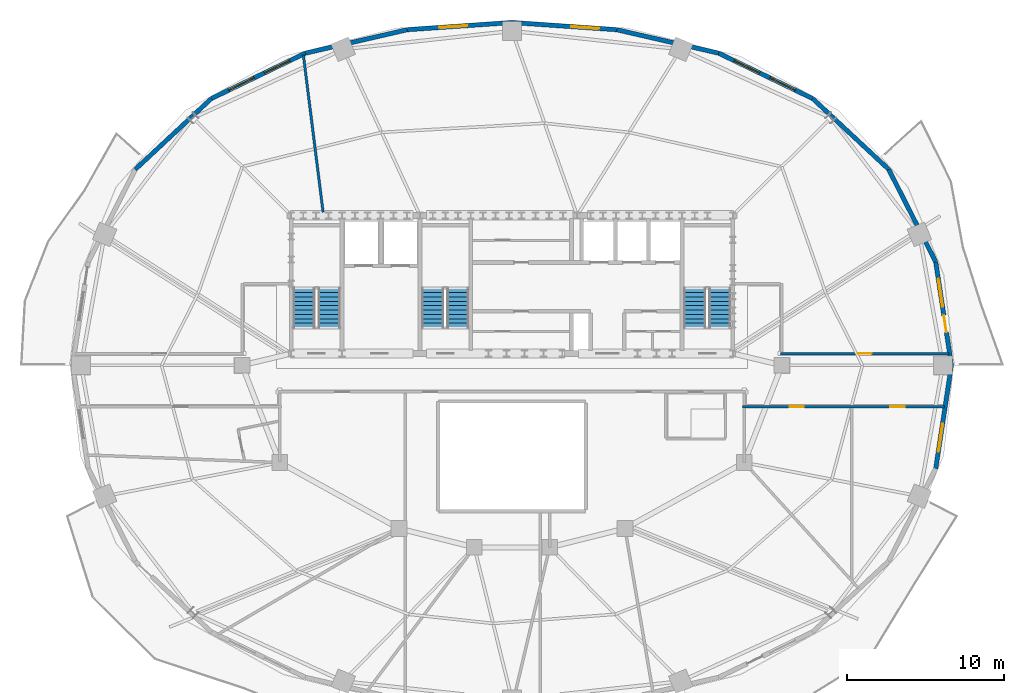
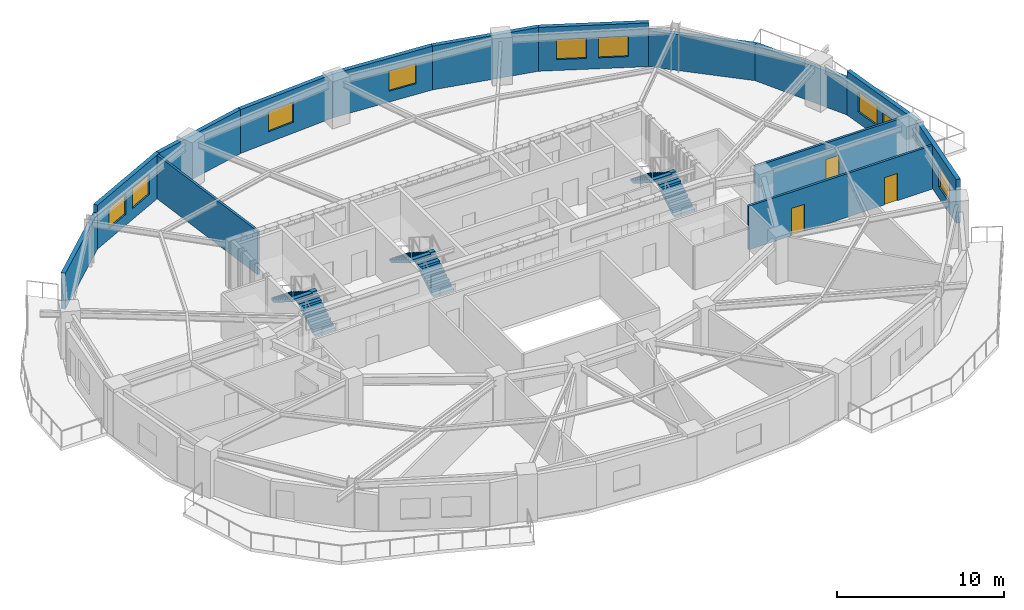
# One storey, part 6 of 11: 14 walls, 8 windows, 6 stair flights, 4 doors, 12 openings, 3 elements without a shape of their own.
"""IFC4 building model written with IfcOpenShell, lengths in metres."""

from ifc_helpers import new_model, si_unit, direction, frame, frame_2d, origin, place, context, subcontext, project, spatial, polyline, rectangle, outline, extrude, material, layer, layer_set, type_object, element, fill, aggregate, save


model = new_model("IFC4")

# Units and contexts
model_context = context("Model", 3, precision=1e-05, world=origin(), true_north=direction((0.0, 1.0)))
body_context = subcontext(model_context, "Body", "Model", "MODEL_VIEW")
ifc_project = project(units=[si_unit("LENGTHUNIT", "METRE"), si_unit("AREAUNIT", "SQUARE_METRE"), si_unit("VOLUMEUNIT", "CUBIC_METRE"), si_unit("PLANEANGLEUNIT", "RADIAN"), si_unit("MASSUNIT", "GRAM", prefix="KILO")], contexts=[model_context])

# Site, building, storey
site_placement = place(None, origin())
site = spatial("IfcSite", under=ifc_project, at=site_placement, CompositionType="ELEMENT")
building_placement = place(site_placement, origin())
building = spatial("IfcBuilding", under=site, at=building_placement, Name="Haldorwick Loom Tower", CompositionType="ELEMENT")
storey_placement = place(building_placement, frame((0.0, 0.0, 211.75)))
storey = spatial("IfcBuildingStorey", under=building, at=storey_placement, Name="L57", CompositionType="ELEMENT", Elevation=211.75)

# Wall, openings, door, window
ifc_material_1 = material(Name="Pressed Clay Face Brick and Insulated Masonry Backup Assembly", Category="masonry")
ifc_layer_1 = layer(ifc_material_1, 0.280029296875, Name="Pressed Clay Face Brick and Insulated Masonry Backup Assembly", Category="masonry")
ifc_layer_set_1 = layer_set([ifc_layer_1], Name="Pressed Clay Face Brick and Insulated Masonry Backup Assembly")
wall_type_1 = type_object("IfcWallType", Name="ARC-WL-EXT280", PredefinedType="STANDARD", material=ifc_layer_set_1)
wall_1_placement = place(storey_placement, frame((64.00634765625, 26.0, 0.0), z_axis=(0.0, 0.0, 1.0), x_axis=(-0.150467697578, 0.988614926038, 0.0)))
wall_1 = element("IfcWall", 1, at=wall_1_placement, inside=storey, type_object=wall_type_1, Name="L57 Brick Pier and Spandrel Wall 1", PredefinedType="STANDARD", context=body_context, shape_type="SweptSolid", body=[
    extrude(rectangle(XDim=6.66064453125, YDim=0.280029296875, at=frame_2d((3.330322265625, 0.0))), origin(), (0.0, 0.0, 1.0), 3.2099609375),
])
opening_1_placement = place(wall_1_placement, frame((2.1328125, 0.0, 0.0)))
opening_1 = element("IfcOpeningElement", 2, at=opening_1_placement, cuts=wall_1, Name="Opening D-BL11", PredefinedType="OPENING", context=body_context, shape_type="SweptSolid", body=[
    extrude(rectangle(XDim=1.080078125, YDim=2.0400390625, at=frame_2d((0.5400390625, 1.02001953125))), frame((0.0, 0.14990234375, 0.0), z_axis=(0.0, -1.0, 0.0), x_axis=(1.0, 0.0, 0.0)), (0.0, 0.0, 1.0), 0.300048828125),
])
opening_2_placement = place(wall_1_placement, frame((3.762451171875, 0.0, 0.800048828125)))
opening_2 = element("IfcOpeningElement", 3, at=opening_2_placement, cuts=wall_1, Name="Opening W-01", PredefinedType="OPENING", context=body_context, shape_type="SweptSolid", body=[
    extrude(rectangle(XDim=1.800048828125, YDim=1.47998046875, at=frame_2d((0.89990234375, 0.739990234375))), frame((0.0, 0.14990234375, 0.0), z_axis=(0.0, -1.0, 0.0), x_axis=(1.0, 0.0, 0.0)), (0.0, 0.0, 1.0), 0.300048828125),
])
ifc_material_2 = material(Name="Thermally Broken Anodized Aluminium Curtain Wall Framing", Category="aluminium")
door_type_1 = type_object("IfcDoorType", Name="ARC-DR-BAL110", OperationType="NOTDEFINED", PredefinedType="DOOR", material=ifc_material_2)
door_1_placement = place(opening_1_placement, origin())
door_1 = element("IfcDoor", 4, at=door_1_placement, inside=storey, type_object=door_type_1, Name="L57 Outdoor Terrace Door SLB-L57-BAL_ENE", OperationType="SINGLE_SWING_RIGHT", OverallHeight=2.0400390625, OverallWidth=1.080078125, PredefinedType="DOOR", context=body_context, shape_type="SweptSolid", body=[
    extrude(rectangle(XDim=1.080078125, YDim=2.0400390625, at=frame_2d((0.5400390625, 1.02001953125))), frame((0.0, 0.02490234375, 0.0), z_axis=(0.0, -1.0, 0.0), x_axis=(1.0, 0.0, 0.0)), (0.0, 0.0, 1.0), 0.050048828125),
])
fill(opening_1, door_1)
ifc_material_3 = material(Name="Triple-Glazed Low-E Argon Insulated Glazing Unit", Category="glass")
window_type = type_object("IfcWindowType", Name="ARC-WIN-W180", PartitioningType="SINGLE_PANEL", PredefinedType="WINDOW", material=ifc_material_3)
window_1_placement = place(opening_2_placement, origin())
window_1 = element("IfcWindow", 5, at=window_1_placement, inside=storey, type_object=window_type, Name="L57 Deep-Set Zone 7A Window 1", OverallHeight=1.47998046875, OverallWidth=1.800048828125, PartitioningType="SINGLE_PANEL", PredefinedType="WINDOW", context=body_context, shape_type="SweptSolid", body=[
    extrude(rectangle(XDim=1.800048828125, YDim=1.47998046875, at=frame_2d((0.89990234375, 0.739990234375))), frame((0.0, 0.030029296875, 0.0), z_axis=(0.0, -1.0, 0.0), x_axis=(1.0, 0.0, 0.0)), (0.0, 0.0, 1.0), 0.06005859375),
])
fill(opening_2, window_1)

# Walls
wall_2_placement = place(storey_placement, frame((63.004150390625, 32.584716796875, 0.0), z_axis=(0.0, 0.0, 1.0), x_axis=(-0.453032066879, 0.89149422117, 0.0)))
element("IfcWall", 6, at=wall_2_placement, inside=storey, type_object=wall_type_1, Name="L57 Brick Pier and Spandrel Wall 2", PredefinedType="STANDARD", context=body_context, shape_type="SweptSolid", body=[
    extrude(rectangle(XDim=6.618896484375, YDim=0.280029296875, at=frame_2d((3.3095703125, 0.0))), origin(), (0.0, 0.0, 1.0), 2.64111328125),
])
wall_3_placement = place(storey_placement, frame((60.005615234375, 38.4853515625, 0.0), z_axis=(0.0, 0.0, 1.0), x_axis=(-0.731833707499, 0.681483253329, 0.0)))
element("IfcWall", 7, at=wall_3_placement, inside=storey, type_object=wall_type_1, Name="L57 Brick Pier and Spandrel Wall 3", PredefinedType="STANDARD", context=body_context, shape_type="SweptSolid", body=[
    extrude(rectangle(XDim=6.61865234375, YDim=0.280029296875, at=frame_2d((3.309326171875, 0.0))), origin(), (0.0, 0.0, 1.0), 2.64111328125),
])

# Wall, openings, windows
wall_4_placement = place(storey_placement, frame((55.161865234375, 42.995849609375, 0.0), z_axis=(0.0, 0.0, 1.0), x_axis=(-0.900371236029, 0.435122554381, 0.0)))
wall_4 = element("IfcWall", 8, at=wall_4_placement, inside=storey, type_object=wall_type_1, Name="L57 Brick Pier and Spandrel Wall 4", PredefinedType="STANDARD", context=body_context, shape_type="SweptSolid", body=[
    extrude(rectangle(XDim=6.6533203125, YDim=0.280029296875, at=frame_2d((3.32666015625, 0.0))), origin(), (0.0, 0.0, 1.0), 3.2099609375),
])
opening_3_placement = place(wall_4_placement, frame((1.234375, 0.0, 0.800048828125)))
opening_3 = element("IfcOpeningElement", 9, at=opening_3_placement, cuts=wall_4, Name="Opening W-01", PredefinedType="OPENING", context=body_context, shape_type="SweptSolid", body=[
    extrude(rectangle(XDim=1.800048828125, YDim=1.47998046875, at=frame_2d((0.89990234375, 0.739990234375))), frame((0.0, 0.14990234375, 0.0), z_axis=(0.0, -1.0, 0.0), x_axis=(1.0, 0.0, 0.0)), (0.0, 0.0, 1.0), 0.300048828125),
])
opening_4_placement = place(wall_4_placement, frame((3.75732421875, 0.0, 0.800048828125)))
opening_4 = element("IfcOpeningElement", 10, at=opening_4_placement, cuts=wall_4, Name="Opening W-01", PredefinedType="OPENING", context=body_context, shape_type="SweptSolid", body=[
    extrude(rectangle(XDim=1.800048828125, YDim=1.47998046875, at=frame_2d((0.89990234375, 0.739990234375))), frame((0.0, 0.14990234375, 0.0), z_axis=(0.0, -1.0, 0.0), x_axis=(1.0, 0.0, 0.0)), (0.0, 0.0, 1.0), 0.300048828125),
])
window_2_placement = place(opening_3_placement, origin())
window_2 = element("IfcWindow", 11, at=window_2_placement, inside=storey, type_object=window_type, Name="L57 Deep-Set Zone 7A Window 4", OverallHeight=1.47998046875, OverallWidth=1.800048828125, PartitioningType="SINGLE_PANEL", PredefinedType="WINDOW", context=body_context, shape_type="SweptSolid", body=[
    extrude(rectangle(XDim=1.800048828125, YDim=1.47998046875, at=frame_2d((0.89990234375, 0.739990234375))), frame((0.0, 0.030029296875, 0.0), z_axis=(0.0, -1.0, 0.0), x_axis=(1.0, 0.0, 0.0)), (0.0, 0.0, 1.0), 0.06005859375),
])
fill(opening_3, window_2)
window_3_placement = place(opening_4_placement, origin())
window_3 = element("IfcWindow", 12, at=window_3_placement, inside=storey, type_object=window_type, Name="L57 Deep-Set Zone 7A Window 4", OverallHeight=1.47998046875, OverallWidth=1.800048828125, PartitioningType="SINGLE_PANEL", PredefinedType="WINDOW", context=body_context, shape_type="SweptSolid", body=[
    extrude(rectangle(XDim=1.800048828125, YDim=1.47998046875, at=frame_2d((0.89990234375, 0.739990234375))), frame((0.0, 0.030029296875, 0.0), z_axis=(0.0, -1.0, 0.0), x_axis=(1.0, 0.0, 0.0)), (0.0, 0.0, 1.0), 0.06005859375),
])
fill(opening_4, window_3)

# Wall
wall_5_placement = place(storey_placement, frame((49.17138671875, 45.890869140625, 0.0), z_axis=(0.0, 0.0, 1.0), x_axis=(-0.974557343474, 0.224138315065, 0.0)))
element("IfcWall", 13, at=wall_5_placement, inside=storey, type_object=wall_type_1, Name="L57 Brick Pier and Spandrel Wall 5", PredefinedType="STANDARD", context=body_context, shape_type="SweptSolid", body=[
    extrude(rectangle(XDim=6.676025390625, YDim=0.280029296875, at=frame_2d((3.337890625, 0.0))), origin(), (0.0, 0.0, 1.0), 3.2099609375),
])

# Wall, opening, window
wall_6_placement = place(storey_placement, frame((42.665283203125, 47.38720703125, 0.0), z_axis=(0.0, 0.0, 1.0), x_axis=(-0.99764992135, 0.068517402386, 0.0)))
wall_6 = element("IfcWall", 14, at=wall_6_placement, inside=storey, type_object=wall_type_1, Name="L57 Brick Pier and Spandrel Wall 6", PredefinedType="STANDARD", context=body_context, shape_type="SweptSolid", body=[
    extrude(rectangle(XDim=6.680908203125, YDim=0.280029296875, at=frame_2d((3.34033203125, 0.0))), origin(), (0.0, 0.0, 1.0), 3.2099609375),
])
opening_5_placement = place(wall_6_placement, frame((1.104248046875, 0.0, 0.800048828125)))
opening_5 = element("IfcOpeningElement", 15, at=opening_5_placement, cuts=wall_6, Name="Opening W-01", PredefinedType="OPENING", context=body_context, shape_type="SweptSolid", body=[
    extrude(rectangle(XDim=1.800048828125, YDim=1.47998046875, at=frame_2d((0.89990234375, 0.739990234375))), frame((0.0, 0.14990234375, 0.0), z_axis=(0.0, -1.0, 0.0), x_axis=(1.0, 0.0, 0.0)), (0.0, 0.0, 1.0), 0.300048828125),
])
window_4_placement = place(opening_5_placement, origin())
window_4 = element("IfcWindow", 16, at=window_4_placement, inside=storey, type_object=window_type, Name="L57 Deep-Set Zone 7A Window 6", OverallHeight=1.47998046875, OverallWidth=1.800048828125, PartitioningType="SINGLE_PANEL", PredefinedType="WINDOW", context=body_context, shape_type="SweptSolid", body=[
    extrude(rectangle(XDim=1.800048828125, YDim=1.47998046875, at=frame_2d((0.89990234375, 0.739990234375))), frame((0.0, 0.030029296875, 0.0), z_axis=(0.0, -1.0, 0.0), x_axis=(1.0, 0.0, 0.0)), (0.0, 0.0, 1.0), 0.06005859375),
])
fill(opening_5, window_4)

wall_7_placement = place(storey_placement, frame((36.0, 47.844970703125, 0.0), z_axis=(0.0, 0.0, 1.0), x_axis=(-0.99764992135, -0.068517402386, 0.0)))
wall_7 = element("IfcWall", 17, at=wall_7_placement, inside=storey, type_object=wall_type_1, Name="L57 Brick Pier and Spandrel Wall 7", PredefinedType="STANDARD", context=body_context, shape_type="SweptSolid", body=[
    extrude(rectangle(XDim=6.680908203125, YDim=0.280029296875, at=frame_2d((3.34033203125, 0.0))), origin(), (0.0, 0.0, 1.0), 3.2099609375),
])
opening_6_placement = place(wall_7_placement, frame((2.860595703125, 0.0, 0.800048828125)))
opening_6 = element("IfcOpeningElement", 18, at=opening_6_placement, cuts=wall_7, Name="Opening W-01", PredefinedType="OPENING", context=body_context, shape_type="SweptSolid", body=[
    extrude(rectangle(XDim=1.800048828125, YDim=1.47998046875, at=frame_2d((0.89990234375, 0.739990234375))), frame((0.0, 0.14990234375, 0.0), z_axis=(0.0, -1.0, 0.0), x_axis=(1.0, 0.0, 0.0)), (0.0, 0.0, 1.0), 0.300048828125),
])
window_5_placement = place(opening_6_placement, origin())
window_5 = element("IfcWindow", 19, at=window_5_placement, inside=storey, type_object=window_type, Name="L57 Deep-Set Zone 7A Window 7", OverallHeight=1.47998046875, OverallWidth=1.800048828125, PartitioningType="SINGLE_PANEL", PredefinedType="WINDOW", context=body_context, shape_type="SweptSolid", body=[
    extrude(rectangle(XDim=1.800048828125, YDim=1.47998046875, at=frame_2d((0.89990234375, 0.739990234375))), frame((0.0, 0.030029296875, 0.0), z_axis=(0.0, -1.0, 0.0), x_axis=(1.0, 0.0, 0.0)), (0.0, 0.0, 1.0), 0.06005859375),
])
fill(opening_6, window_5)

# Wall
wall_8_placement = place(storey_placement, frame((29.334716796875, 47.38720703125, 0.0), z_axis=(0.0, 0.0, 1.0), x_axis=(-0.974557343474, -0.224138315065, 0.0)))
element("IfcWall", 20, at=wall_8_placement, inside=storey, type_object=wall_type_1, Name="L57 Brick Pier and Spandrel Wall 8", PredefinedType="STANDARD", context=body_context, shape_type="SweptSolid", body=[
    extrude(rectangle(XDim=6.676025390625, YDim=0.280029296875, at=frame_2d((3.337890625, 0.0))), origin(), (0.0, 0.0, 1.0), 3.2099609375),
])

# Wall, openings, windows
wall_9_placement = place(storey_placement, frame((22.82861328125, 45.890869140625, 0.0), z_axis=(0.0, 0.0, 1.0), x_axis=(-0.900371236029, -0.435122554381, 0.0)))
wall_9 = element("IfcWall", 21, at=wall_9_placement, inside=storey, type_object=wall_type_1, Name="L57 Brick Pier and Spandrel Wall 9", PredefinedType="STANDARD", context=body_context, shape_type="SweptSolid", body=[
    extrude(rectangle(XDim=6.6533203125, YDim=0.280029296875, at=frame_2d((3.32666015625, 0.0))), origin(), (0.0, 0.0, 1.0), 3.2099609375),
])
opening_7_placement = place(wall_9_placement, frame((1.095947265625, 0.0, 0.800048828125)))
opening_7 = element("IfcOpeningElement", 22, at=opening_7_placement, cuts=wall_9, Name="Opening W-01", PredefinedType="OPENING", context=body_context, shape_type="SweptSolid", body=[
    extrude(rectangle(XDim=1.800048828125, YDim=1.47998046875, at=frame_2d((0.89990234375, 0.739990234375))), frame((0.0, 0.14990234375, 0.0), z_axis=(0.0, -1.0, 0.0), x_axis=(1.0, 0.0, 0.0)), (0.0, 0.0, 1.0), 0.300048828125),
])
opening_8_placement = place(wall_9_placement, frame((3.618896484375, 0.0, 0.800048828125)))
opening_8 = element("IfcOpeningElement", 23, at=opening_8_placement, cuts=wall_9, Name="Opening W-01", PredefinedType="OPENING", context=body_context, shape_type="SweptSolid", body=[
    extrude(rectangle(XDim=1.800048828125, YDim=1.47998046875, at=frame_2d((0.89990234375, 0.739990234375))), frame((0.0, 0.14990234375, 0.0), z_axis=(0.0, -1.0, 0.0), x_axis=(1.0, 0.0, 0.0)), (0.0, 0.0, 1.0), 0.300048828125),
])
window_6_placement = place(opening_7_placement, origin())
window_6 = element("IfcWindow", 24, at=window_6_placement, inside=storey, type_object=window_type, Name="L57 Deep-Set Zone 7A Window 9", OverallHeight=1.47998046875, OverallWidth=1.800048828125, PartitioningType="SINGLE_PANEL", PredefinedType="WINDOW", context=body_context, shape_type="SweptSolid", body=[
    extrude(rectangle(XDim=1.800048828125, YDim=1.47998046875, at=frame_2d((0.89990234375, 0.739990234375))), frame((0.0, 0.030029296875, 0.0), z_axis=(0.0, -1.0, 0.0), x_axis=(1.0, 0.0, 0.0)), (0.0, 0.0, 1.0), 0.06005859375),
])
fill(opening_7, window_6)
window_7_placement = place(opening_8_placement, origin())
window_7 = element("IfcWindow", 25, at=window_7_placement, inside=storey, type_object=window_type, Name="L57 Deep-Set Zone 7A Window 9", OverallHeight=1.47998046875, OverallWidth=1.800048828125, PartitioningType="SINGLE_PANEL", PredefinedType="WINDOW", context=body_context, shape_type="SweptSolid", body=[
    extrude(rectangle(XDim=1.800048828125, YDim=1.47998046875, at=frame_2d((0.89990234375, 0.739990234375))), frame((0.0, 0.030029296875, 0.0), z_axis=(0.0, -1.0, 0.0), x_axis=(1.0, 0.0, 0.0)), (0.0, 0.0, 1.0), 0.06005859375),
])
fill(opening_8, window_7)

# Wall
wall_10_placement = place(storey_placement, frame((16.838134765625, 42.995849609375, 0.0), z_axis=(0.0, 0.0, 1.0), x_axis=(-0.731833707499, -0.681483253329, 0.0)))
element("IfcWall", 26, at=wall_10_placement, inside=storey, type_object=wall_type_1, Name="L57 Brick Pier and Spandrel Wall 10", PredefinedType="STANDARD", context=body_context, shape_type="SweptSolid", body=[
    extrude(rectangle(XDim=6.61865234375, YDim=0.280029296875, at=frame_2d((3.309326171875, 0.0))), origin(), (0.0, 0.0, 1.0), 2.64111328125),
])

# Wall, opening, window
wall_11_placement = place(storey_placement, frame((63.004150390625, 19.415283203125, 0.0), z_axis=(0.0, 0.0, 1.0), x_axis=(0.150467697578, 0.988614926038, 0.0)))
wall_11 = element("IfcWall", 27, at=wall_11_placement, inside=storey, type_object=wall_type_1, Name="L57 Brick Pier and Spandrel Wall 24", PredefinedType="STANDARD", context=body_context, shape_type="SweptSolid", body=[
    extrude(rectangle(XDim=6.66064453125, YDim=0.280029296875, at=frame_2d((3.330322265625, 0.0))), origin(), (0.0, 0.0, 1.0), 3.2099609375),
])
opening_9_placement = place(wall_11_placement, frame((1.09814453125, 0.0, 0.800048828125)))
opening_9 = element("IfcOpeningElement", 28, at=opening_9_placement, cuts=wall_11, Name="Opening W-01", PredefinedType="OPENING", context=body_context, shape_type="SweptSolid", body=[
    extrude(rectangle(XDim=1.800048828125, YDim=1.47998046875, at=frame_2d((0.89990234375, 0.739990234375))), frame((0.0, 0.14990234375, 0.0), z_axis=(0.0, -1.0, 0.0), x_axis=(1.0, 0.0, 0.0)), (0.0, 0.0, 1.0), 0.300048828125),
])
window_8_placement = place(opening_9_placement, origin())
window_8 = element("IfcWindow", 29, at=window_8_placement, inside=storey, type_object=window_type, Name="L57 Deep-Set Zone 7A Window 24", OverallHeight=1.47998046875, OverallWidth=1.800048828125, PartitioningType="SINGLE_PANEL", PredefinedType="WINDOW", context=body_context, shape_type="SweptSolid", body=[
    extrude(rectangle(XDim=1.800048828125, YDim=1.47998046875, at=frame_2d((0.89990234375, 0.739990234375))), frame((0.0, 0.030029296875, 0.0), z_axis=(0.0, -1.0, 0.0), x_axis=(1.0, 0.0, 0.0)), (0.0, 0.0, 1.0), 0.06005859375),
])
fill(opening_9, window_8)

# Wall, openings, doors
ifc_material_4 = material(Name="Fire-Rated Type X Gypsum Stud Assembly EI 60")
ifc_layer_2 = layer(ifc_material_4, 0.159912109375, Name="Fire-Rated Type X Gypsum Stud Assembly EI 60")
ifc_layer_set_2 = layer_set([ifc_layer_2], Name="Fire-Rated Type X Gypsum Stud Assembly EI 60")
wall_type_2 = type_object("IfcWallType", Name="ARC-WL-FIRE160", PredefinedType="PARTITIONING", material=ifc_layer_set_2)
wall_12_placement = place(storey_placement, frame((50.699951171875, 23.35009765625, 0.0), z_axis=(0.0, 0.0, 1.0), x_axis=(1.0, 0.0, 0.0)))
wall_12 = element("IfcWall", 30, at=wall_12_placement, inside=storey, type_object=wall_type_2, Name="L57 Residential Fire Partition L57-CR-SPE", PredefinedType="PARTITIONING", context=body_context, shape_type="SweptSolid", body=[
    extrude(rectangle(XDim=12.857666015625, YDim=0.159912109375, at=frame_2d((6.4287109375, 0.0))), origin(), (0.0, 0.0, 1.0), 3.195068359375),
])
opening_10_placement = place(wall_12_placement, frame((2.986083984375, 0.0, 0.0)))
opening_10 = element("IfcOpeningElement", 31, at=opening_10_placement, cuts=wall_12, Name="Opening D-FD60A", PredefinedType="OPENING", context=body_context, shape_type="SweptSolid", body=[
    extrude(rectangle(XDim=0.89990234375, YDim=2.0, at=frame_2d((0.449951171875, 1.0))), frame((0.0, 0.08984375, 0.0), z_axis=(0.0, -1.0, 0.0), x_axis=(1.0, 0.0, 0.0)), (0.0, 0.0, 1.0), 0.179931640625),
])
opening_11_placement = place(wall_12_placement, frame((9.414794921875, 0.0, 0.0)))
opening_11 = element("IfcOpeningElement", 32, at=opening_11_placement, cuts=wall_12, Name="Opening D-FD60A", PredefinedType="OPENING", context=body_context, shape_type="SweptSolid", body=[
    extrude(rectangle(XDim=0.89990234375, YDim=2.0, at=frame_2d((0.449951171875, 1.0))), frame((0.0, 0.08984375, 0.0), z_axis=(0.0, -1.0, 0.0), x_axis=(1.0, 0.0, 0.0)), (0.0, 0.0, 1.0), 0.179931640625),
])
ifc_material_5 = material(Name="Hollow Steel Fire Door Assembly", Category="steel")
door_type_2 = type_object("IfcDoorType", Name="ARC-DR-FD60-90", OperationType="NOTDEFINED", PredefinedType="DOOR", material=ifc_material_5)
door_2_placement = place(opening_10_placement, origin())
door_2 = element("IfcDoor", 33, at=door_2_placement, inside=storey, type_object=door_type_2, Name="L57 L57 Central Residential Corridor to Resident Cafe Room 2 Door", OperationType="SINGLE_SWING_LEFT", OverallHeight=2.0, OverallWidth=0.89990234375, PredefinedType="DOOR", context=body_context, shape_type="SweptSolid", body=[
    extrude(rectangle(XDim=0.89990234375, YDim=2.0, at=frame_2d((0.449951171875, 1.0))), frame((0.0, 0.02490234375, 0.0), z_axis=(0.0, -1.0, 0.0), x_axis=(1.0, 0.0, 0.0)), (0.0, 0.0, 1.0), 0.050048828125),
])
fill(opening_10, door_2)
door_3_placement = place(opening_11_placement, origin())
door_3 = element("IfcDoor", 34, at=door_3_placement, inside=storey, type_object=door_type_2, Name="L57 L57 Central Residential Corridor to Shared Dining Hall 1 Door", OperationType="SINGLE_SWING_RIGHT", OverallHeight=2.0, OverallWidth=0.89990234375, PredefinedType="DOOR", context=body_context, shape_type="SweptSolid", body=[
    extrude(rectangle(XDim=0.89990234375, YDim=2.0, at=frame_2d((0.449951171875, 1.0))), frame((0.0, 0.02490234375, 0.0), z_axis=(0.0, -1.0, 0.0), x_axis=(1.0, 0.0, 0.0)), (0.0, 0.0, 1.0), 0.050048828125),
])
fill(opening_11, door_3)

# Wall, opening, door
wall_13_placement = place(storey_placement, frame((53.10009765625, 26.75, 0.0), z_axis=(0.0, 0.0, 1.0), x_axis=(1.0, 0.0, 0.0)))
wall_13 = element("IfcWall", 35, at=wall_13_placement, inside=storey, type_object=wall_type_2, Name="L57 Residential Fire Partition L57-CR-NEL", PredefinedType="PARTITIONING", context=body_context, shape_type="SweptSolid", body=[
    extrude(rectangle(XDim=10.74658203125, YDim=0.159912109375, at=frame_2d((5.373291015625, 0.0))), origin(), (0.0, 0.0, 1.0), 3.195068359375),
])
opening_12_placement = place(wall_13_placement, frame((4.92333984375, 0.0, 0.0)))
opening_12 = element("IfcOpeningElement", 36, at=opening_12_placement, cuts=wall_13, Name="Opening D-FD60A", PredefinedType="OPENING", context=body_context, shape_type="SweptSolid", body=[
    extrude(rectangle(XDim=0.89990234375, YDim=2.0, at=frame_2d((0.449951171875, 1.0))), frame((0.0, 0.08984375, 0.0), z_axis=(0.0, -1.0, 0.0), x_axis=(1.0, 0.0, 0.0)), (0.0, 0.0, 1.0), 0.179931640625),
])
door_4_placement = place(opening_12_placement, frame((0.89990234375, 0.0, 0.0), z_axis=(0.0, 0.0, 1.0), x_axis=(-1.0, 0.0, 0.0)))
door_4 = element("IfcDoor", 37, at=door_4_placement, inside=storey, type_object=door_type_2, Name="L57 Co-Working Open Office 8 to L57 Central Residential Corridor Door", OperationType="SINGLE_SWING_RIGHT", OverallHeight=2.0, OverallWidth=0.89990234375, PredefinedType="DOOR", context=body_context, shape_type="SweptSolid", body=[
    extrude(rectangle(XDim=0.89990234375, YDim=2.0, at=frame_2d((0.449951171875, 1.0))), frame((0.0, 0.02490234375, 0.0), z_axis=(0.0, -1.0, 0.0), x_axis=(1.0, 0.0, 0.0)), (0.0, 0.0, 1.0), 0.050048828125),
])
fill(opening_12, door_4)

# Wall
wall_14_placement = place(storey_placement, frame((23.9619140625, 35.7529296875, 0.0), z_axis=(0.0, 0.0, 1.0), x_axis=(-0.124584783338, 0.992208965773, 0.0)))
element("IfcWall", 38, at=wall_14_placement, inside=storey, type_object=wall_type_2, Name="L57 Residential Fire Partition L57-UPN-C3", PredefinedType="PARTITIONING", context=body_context, shape_type="SweptSolid", body=[
    extrude(rectangle(XDim=10.105712890625, YDim=0.159912109375, at=frame_2d((5.052734375, 0.0))), origin(), (0.0, 0.0, 1.0), 3.195068359375),
])

# Stair, stair flights
ifc_material_6 = material(Name="Concrete C40 (40 MPa)", Category="concrete")
stair_type = type_object("IfcStairType", Name="STR-STR-CORE", PredefinedType="HALF_TURN_STAIR", material=ifc_material_6)
stair_1_placement = place(storey_placement, origin())
stair_1 = element("IfcStair", 39, at=stair_1_placement, inside=storey, type_object=stair_type, Name="L57 Exit Stair ST-01", PredefinedType="HALF_TURN_STAIR")
stair_flight_type = type_object("IfcStairFlightType", Name="STR-STF-1250", PredefinedType="STRAIGHT", material=ifc_material_6)
stair_flight_1_placement = place(storey_placement, frame((24.35009765625, 28.39990234375, 0.0), z_axis=(0.0, 0.0, 1.0), x_axis=(0.0, 1.0, 0.0)))
stair_flight_1 = element("IfcStairFlight", 40, at=stair_flight_1_placement, type_object=stair_flight_type, Name="ST-01 flight 1", NumberOfRisers=10, NumberOfTreads=9, PredefinedType="STRAIGHT", RiserHeight=0.1725, TreadLength=0.28, context=body_context, shape_type="SweptSolid", body=[
    extrude(outline(polyline([(0.0, 0.0), (0.0, 0.172607421875), (0.280029296875, 0.172607421875), (0.280029296875, 0.344970703125), (0.56005859375, 0.344970703125), (0.56005859375, 0.517578125), (0.840087890625, 0.517578125), (0.840087890625, 0.68994140625), (1.1201171875, 0.68994140625), (1.1201171875, 0.862548828125), (1.39990234375, 0.862548828125), (1.39990234375, 1.034912109375), (1.679931640625, 1.034912109375), (1.679931640625, 1.20751953125), (1.9599609375, 1.20751953125), (1.9599609375, 1.3798828125), (2.239990234375, 1.3798828125), (2.239990234375, 1.552490234375), (2.52001953125, 1.552490234375), (2.52001953125, 1.72509765625), (2.52001953125, 1.37646484375), (0.285888671875, 0.0), (0.0, 0.0)])), frame((0.0, 0.699951171875, 0.0), z_axis=(0.0, -1.0, 0.0), x_axis=(1.0, 0.0, 0.0)), (0.0, 0.0, 1.0), 1.39990234375),
])
stair_flight_2_placement = place(storey_placement, frame((22.75, 30.919921875, 1.72509765625), z_axis=(0.0, 0.0, 1.0), x_axis=(0.0, -1.0, 0.0)))
stair_flight_2 = element("IfcStairFlight", 41, at=stair_flight_2_placement, type_object=stair_flight_type, Name="ST-01 flight 2", NumberOfRisers=10, NumberOfTreads=9, PredefinedType="STRAIGHT", RiserHeight=0.1725, TreadLength=0.28, context=body_context, shape_type="SweptSolid", body=[
    extrude(outline(polyline([(0.0, 0.0), (0.0, 0.172607421875), (0.280029296875, 0.172607421875), (0.280029296875, 0.344970703125), (0.56005859375, 0.344970703125), (0.56005859375, 0.517578125), (0.840087890625, 0.517578125), (0.840087890625, 0.68994140625), (1.1201171875, 0.68994140625), (1.1201171875, 0.862548828125), (1.39990234375, 0.862548828125), (1.39990234375, 1.034912109375), (1.679931640625, 1.034912109375), (1.679931640625, 1.20751953125), (1.9599609375, 1.20751953125), (1.9599609375, 1.3798828125), (2.239990234375, 1.3798828125), (2.239990234375, 1.552490234375), (2.52001953125, 1.552490234375), (2.52001953125, 1.72509765625), (2.52001953125, 1.37646484375), (0.285888671875, 0.0), (0.0, 0.0)])), frame((0.0, 0.699951171875, 0.0), z_axis=(0.0, -1.0, 0.0), x_axis=(1.0, 0.0, 0.0)), (0.0, 0.0, 1.0), 1.39990234375),
])
aggregate(stair_1, [stair_flight_1, stair_flight_2])

stair_2_placement = place(storey_placement, origin())
stair_2 = element("IfcStair", 42, at=stair_2_placement, inside=storey, type_object=stair_type, Name="L57 Exit Stair ST-02", PredefinedType="HALF_TURN_STAIR")
stair_flight_3_placement = place(storey_placement, frame((49.25, 28.39990234375, 0.0), z_axis=(0.0, 0.0, 1.0), x_axis=(0.0, 1.0, 0.0)))
stair_flight_3 = element("IfcStairFlight", 43, at=stair_flight_3_placement, type_object=stair_flight_type, Name="ST-02 flight 1", NumberOfRisers=10, NumberOfTreads=9, PredefinedType="STRAIGHT", RiserHeight=0.1725, TreadLength=0.28, context=body_context, shape_type="SweptSolid", body=[
    extrude(outline(polyline([(0.0, 0.0), (0.0, 0.172607421875), (0.280029296875, 0.172607421875), (0.280029296875, 0.344970703125), (0.56005859375, 0.344970703125), (0.56005859375, 0.517578125), (0.840087890625, 0.517578125), (0.840087890625, 0.68994140625), (1.1201171875, 0.68994140625), (1.1201171875, 0.862548828125), (1.39990234375, 0.862548828125), (1.39990234375, 1.034912109375), (1.679931640625, 1.034912109375), (1.679931640625, 1.20751953125), (1.9599609375, 1.20751953125), (1.9599609375, 1.3798828125), (2.239990234375, 1.3798828125), (2.239990234375, 1.552490234375), (2.52001953125, 1.552490234375), (2.52001953125, 1.72509765625), (2.52001953125, 1.37646484375), (0.285888671875, 0.0), (0.0, 0.0)])), frame((0.0, 0.699951171875, 0.0), z_axis=(0.0, -1.0, 0.0), x_axis=(1.0, 0.0, 0.0)), (0.0, 0.0, 1.0), 1.39990234375),
])
stair_flight_4_placement = place(storey_placement, frame((47.64990234375, 30.919921875, 1.72509765625), z_axis=(0.0, 0.0, 1.0), x_axis=(0.0, -1.0, 0.0)))
stair_flight_4 = element("IfcStairFlight", 44, at=stair_flight_4_placement, type_object=stair_flight_type, Name="ST-02 flight 2", NumberOfRisers=10, NumberOfTreads=9, PredefinedType="STRAIGHT", RiserHeight=0.1725, TreadLength=0.28, context=body_context, shape_type="SweptSolid", body=[
    extrude(outline(polyline([(0.0, 0.0), (0.0, 0.172607421875), (0.280029296875, 0.172607421875), (0.280029296875, 0.344970703125), (0.56005859375, 0.344970703125), (0.56005859375, 0.517578125), (0.840087890625, 0.517578125), (0.840087890625, 0.68994140625), (1.1201171875, 0.68994140625), (1.1201171875, 0.862548828125), (1.39990234375, 0.862548828125), (1.39990234375, 1.034912109375), (1.679931640625, 1.034912109375), (1.679931640625, 1.20751953125), (1.9599609375, 1.20751953125), (1.9599609375, 1.3798828125), (2.239990234375, 1.3798828125), (2.239990234375, 1.552490234375), (2.52001953125, 1.552490234375), (2.52001953125, 1.72509765625), (2.52001953125, 1.37646484375), (0.285888671875, 0.0), (0.0, 0.0)])), frame((0.0, 0.699951171875, 0.0), z_axis=(0.0, -1.0, 0.0), x_axis=(1.0, 0.0, 0.0)), (0.0, 0.0, 1.0), 1.39990234375),
])
aggregate(stair_2, [stair_flight_3, stair_flight_4])

stair_3_placement = place(storey_placement, origin())
stair_3 = element("IfcStair", 45, at=stair_3_placement, inside=storey, type_object=stair_type, Name="L57 Exit Stair ST-03", PredefinedType="HALF_TURN_STAIR")
stair_flight_5_placement = place(storey_placement, frame((32.550048828125, 28.39990234375, 0.0), z_axis=(0.0, 0.0, 1.0), x_axis=(0.0, 1.0, 0.0)))
stair_flight_5 = element("IfcStairFlight", 46, at=stair_flight_5_placement, type_object=stair_flight_type, Name="ST-03 flight 1", NumberOfRisers=10, NumberOfTreads=9, PredefinedType="STRAIGHT", RiserHeight=0.1725, TreadLength=0.28, context=body_context, shape_type="SweptSolid", body=[
    extrude(outline(polyline([(0.0, 0.0), (0.0, 0.172607421875), (0.280029296875, 0.172607421875), (0.280029296875, 0.344970703125), (0.56005859375, 0.344970703125), (0.56005859375, 0.517578125), (0.840087890625, 0.517578125), (0.840087890625, 0.68994140625), (1.1201171875, 0.68994140625), (1.1201171875, 0.862548828125), (1.39990234375, 0.862548828125), (1.39990234375, 1.034912109375), (1.679931640625, 1.034912109375), (1.679931640625, 1.20751953125), (1.9599609375, 1.20751953125), (1.9599609375, 1.3798828125), (2.239990234375, 1.3798828125), (2.239990234375, 1.552490234375), (2.52001953125, 1.552490234375), (2.52001953125, 1.72509765625), (2.52001953125, 1.37646484375), (0.285888671875, 0.0), (0.0, 0.0)])), frame((0.0, 0.699951171875, 0.0), z_axis=(0.0, -1.0, 0.0), x_axis=(1.0, 0.0, 0.0)), (0.0, 0.0, 1.0), 1.39990234375),
])
stair_flight_6_placement = place(storey_placement, frame((30.949951171875, 30.919921875, 1.72509765625), z_axis=(0.0, 0.0, 1.0), x_axis=(0.0, -1.0, 0.0)))
stair_flight_6 = element("IfcStairFlight", 47, at=stair_flight_6_placement, type_object=stair_flight_type, Name="ST-03 flight 2", NumberOfRisers=10, NumberOfTreads=9, PredefinedType="STRAIGHT", RiserHeight=0.1725, TreadLength=0.28, context=body_context, shape_type="SweptSolid", body=[
    extrude(outline(polyline([(0.0, 0.0), (0.0, 0.172607421875), (0.280029296875, 0.172607421875), (0.280029296875, 0.344970703125), (0.56005859375, 0.344970703125), (0.56005859375, 0.517578125), (0.840087890625, 0.517578125), (0.840087890625, 0.68994140625), (1.1201171875, 0.68994140625), (1.1201171875, 0.862548828125), (1.39990234375, 0.862548828125), (1.39990234375, 1.034912109375), (1.679931640625, 1.034912109375), (1.679931640625, 1.20751953125), (1.9599609375, 1.20751953125), (1.9599609375, 1.3798828125), (2.239990234375, 1.3798828125), (2.239990234375, 1.552490234375), (2.52001953125, 1.552490234375), (2.52001953125, 1.72509765625), (2.52001953125, 1.37646484375), (0.285888671875, 0.0), (0.0, 0.0)])), frame((0.0, 0.699951171875, 0.0), z_axis=(0.0, -1.0, 0.0), x_axis=(1.0, 0.0, 0.0)), (0.0, 0.0, 1.0), 1.39990234375),
])
aggregate(stair_3, [stair_flight_5, stair_flight_6])

save(model, "model.ifc")
